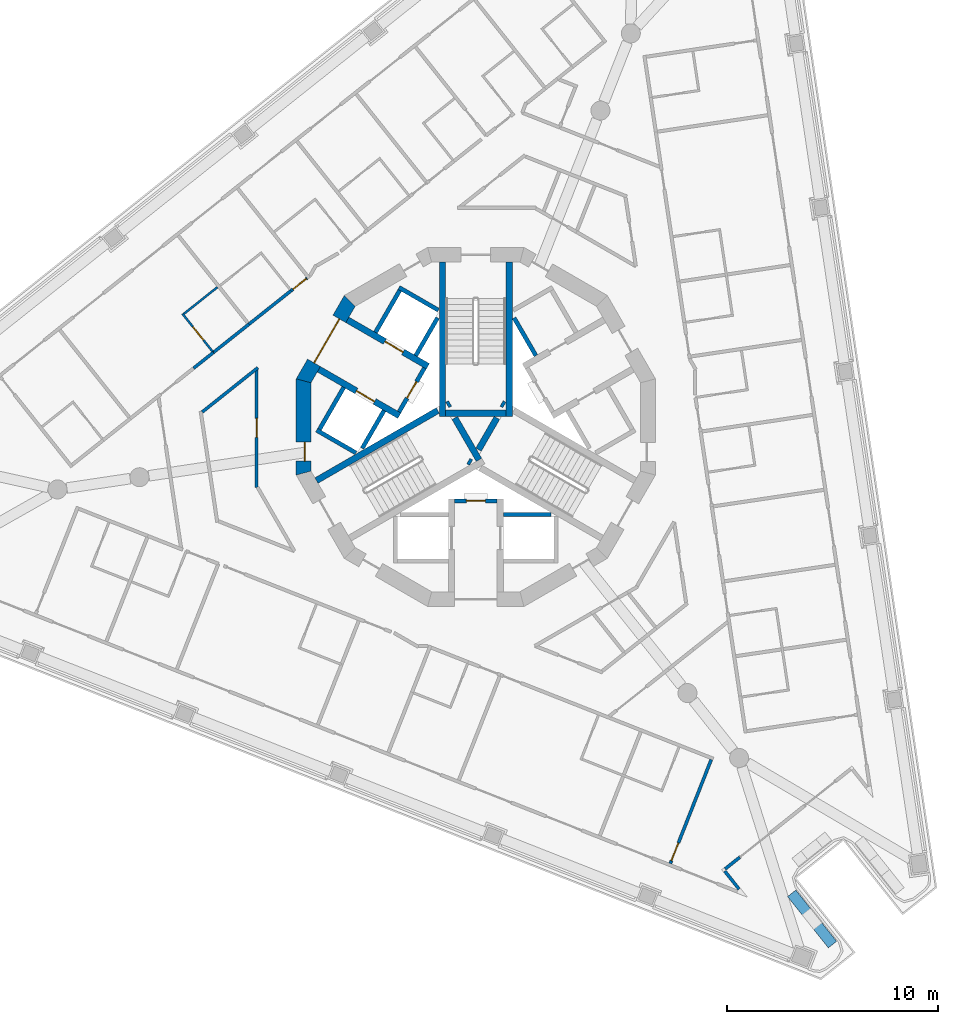
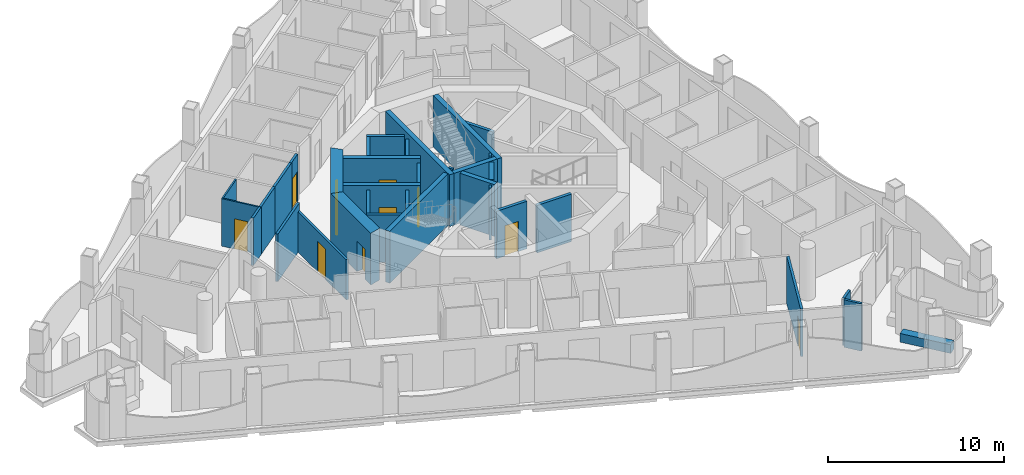
# One storey, part 4 of 17: 35 walls, 10 doors, 10 openings.
"""IFC4 building model written with IfcOpenShell, lengths in metres."""

from ifc_helpers import new_model, si_unit, direction, frame, frame_2d, origin, place, context, subcontext, project, spatial, polyline, rectangle, outline, extrude, material, layer, layer_set, type_object, element, fill, save


model = new_model("IFC4")

# Units and contexts
model_context = context("Model", 3, precision=1e-05, world=origin(), true_north=direction((0.0, 1.0)))
body_context = subcontext(model_context, "Body", "Model", "MODEL_VIEW")
ifc_project = project(units=[si_unit("LENGTHUNIT", "METRE"), si_unit("AREAUNIT", "SQUARE_METRE"), si_unit("VOLUMEUNIT", "CUBIC_METRE"), si_unit("PLANEANGLEUNIT", "RADIAN"), si_unit("MASSUNIT", "GRAM", prefix="KILO")], contexts=[model_context])

# Site, building, storey
site_placement = place(None, origin())
site = spatial("IfcSite", under=ifc_project, at=site_placement, CompositionType="ELEMENT")
building_placement = place(site_placement, origin())
building = spatial("IfcBuilding", under=site, at=building_placement, Name="Trine Commons Tower", CompositionType="ELEMENT")
storey_placement = place(building_placement, frame((0.0, 0.0, 208.800048828125)))
storey = spatial("IfcBuildingStorey", under=building, at=storey_placement, Name="L54", CompositionType="ELEMENT", Elevation=208.800048828125)

# Walls
ifc_material_1 = material(Name="Aluminium-framed insulated wall panel", Category="aluminium")
ifc_layer_1 = layer(ifc_material_1, 0.14990234375)
ifc_layer_set_1 = layer_set([ifc_layer_1], Name="Aluminium-framed insulated wall panel")
wall_type_1 = type_object("IfcWallType", Name="Glazed frame wall 150, EI 60", PredefinedType="SOLIDWALL", material=ifc_layer_set_1)
wall_1_placement = place(storey_placement, frame((92.493896484375, 42.134521484375, 0.0), z_axis=(0.0, 0.0, 1.0), x_axis=(-0.782628082779, -0.622489585492, 0.0)))
element("IfcWall", 1, at=wall_1_placement, inside=storey, type_object=wall_type_1, Name="Glazed frame wall P2.5", PredefinedType="SOLIDWALL", context=body_context, shape_type="SweptSolid", body=[
    extrude(outline(polyline([(0.889892578125, 0.074951171875), (0.0, 0.074951171875), (0.0, -0.074951171875), (0.889892578125, -0.074951171875), (0.889892578125, 0.074951171875)])), origin(), (0.0, 0.0, 1.0), 3.300048828125),
])
wall_2_placement = place(storey_placement, frame((91.716796875, 41.56103515625, 0.0), z_axis=(0.0, 0.0, 1.0), x_axis=(0.622611995912, -0.7825307039, 0.0)))
element("IfcWall", 2, at=wall_2_placement, inside=storey, type_object=wall_type_1, Name="Glazed frame wall R8", PredefinedType="SOLIDWALL", context=body_context, shape_type="SweptSolid", body=[
    extrude(outline(polyline([(0.110107421875, 0.074951171875), (0.110107421875, -0.074951171875), (1.19580078125, -0.074951171875), (1.19580078125, 0.074951171875), (0.110107421875, 0.074951171875)])), origin(), (0.0, 0.0, 1.0), 3.300048828125),
])

# Wall, opening, door
ifc_material_2 = material(Name="Fire-rated gypsum shaft wall system")
ifc_layer_2 = layer(ifc_material_2, 0.199951171875)
ifc_layer_set_2 = layer_set([ifc_layer_2], Name="Fire-rated gypsum shaft wall system")
wall_type_2 = type_object("IfcWallType", Name="Lobby end wall 200 mm, EI 120", PredefinedType="PARTITIONING", material=ifc_layer_set_2)
wall_3_placement = place(storey_placement, frame((77.569091796875, 65.2890625, 0.0), z_axis=(0.0, 0.0, 1.0), x_axis=(-0.50012165622, -0.865955154139, 0.0)))
wall_3 = element("IfcWall", 3, at=wall_3_placement, inside=storey, type_object=wall_type_2, Name="Lobby end wall L54", PredefinedType="PARTITIONING", context=body_context, shape_type="SweptSolid", body=[
    extrude(rectangle(XDim=2.39990234375, YDim=0.199951171875, at=frame_2d((1.199951171875, 0.0))), origin(), (0.0, 0.0, 1.0), 3.300048828125),
])
opening_1_placement = place(wall_3_placement, frame((0.749755859375, 0.0, 0.0)))
opening_1 = element("IfcOpeningElement", 4, at=opening_1_placement, cuts=wall_3, Name="Opening K16.07", PredefinedType="OPENING", context=body_context, shape_type="SweptSolid", body=[
    extrude(rectangle(XDim=0.89990234375, YDim=2.10009765625, at=frame_2d((0.449951171875, 1.050048828125))), frame((0.0, 0.10986328125, 0.0), z_axis=(0.0, -1.0, 0.0), x_axis=(1.0, 0.0, 0.0)), (0.0, 0.0, 1.0), 0.219970703125),
])
ifc_material_3 = material(Name="Steel door leaf, fire-rated", Category="steel")
door_type_1 = type_object("IfcDoorType", Name="Riser access door, single leaf 900 x 2100, FD60", OperationType="SINGLE_SWING_LEFT", PredefinedType="DOOR", material=ifc_material_3)
door_1_placement = place(opening_1_placement, frame((0.89990234375, 0.0, 0.0), z_axis=(0.0, 0.0, 1.0), x_axis=(-1.0, 0.0, 0.0)))
door_1 = element("IfcDoor", 5, at=door_1_placement, inside=storey, type_object=door_type_1, Name="Riser door, Mechanical riser L54", OperationType="SINGLE_SWING_RIGHT", OverallHeight=2.10009765625, OverallWidth=0.89990234375, PredefinedType="DOOR", context=body_context, shape_type="SweptSolid", body=[
    extrude(rectangle(XDim=0.89990234375, YDim=2.10009765625, at=frame_2d((0.449951171875, 1.050048828125))), frame((0.0, 0.02490234375, 0.0), z_axis=(0.0, -1.0, 0.0), x_axis=(1.0, 0.0, 0.0)), (0.0, 0.0, 1.0), 0.050048828125),
])
fill(opening_1, door_1)

wall_4_placement = place(storey_placement, frame((79.0, 59.0, 0.0), z_axis=(0.0, 0.0, 1.0), x_axis=(1.0, 0.0, 0.0)))
wall_4 = element("IfcWall", 6, at=wall_4_placement, inside=storey, type_object=wall_type_2, Name="Lobby end wall L54", PredefinedType="PARTITIONING", context=body_context, shape_type="SweptSolid", body=[
    extrude(rectangle(XDim=2.0, YDim=0.199951171875, at=frame_2d((1.0, 0.0))), origin(), (0.0, 0.0, 1.0), 3.300048828125),
])
opening_2_placement = place(wall_4_placement, frame((0.550048828125, 0.0, 0.0)))
opening_2 = element("IfcOpeningElement", 7, at=opening_2_placement, cuts=wall_4, Name="Opening K16.09", PredefinedType="OPENING", context=body_context, shape_type="SweptSolid", body=[
    extrude(rectangle(XDim=0.89990234375, YDim=2.10009765625, at=frame_2d((0.449951171875, 1.050048828125))), frame((0.0, 0.10986328125, 0.0), z_axis=(0.0, -1.0, 0.0), x_axis=(1.0, 0.0, 0.0)), (0.0, 0.0, 1.0), 0.219970703125),
])
door_2_placement = place(opening_2_placement, frame((0.89990234375, 0.0, 0.0), z_axis=(0.0, 0.0, 1.0), x_axis=(-1.0, 0.0, 0.0)))
door_2 = element("IfcDoor", 8, at=door_2_placement, inside=storey, type_object=door_type_1, Name="Riser door, Communications riser L54", OperationType="SINGLE_SWING_RIGHT", OverallHeight=2.10009765625, OverallWidth=0.89990234375, PredefinedType="DOOR", context=body_context, shape_type="SweptSolid", body=[
    extrude(rectangle(XDim=0.89990234375, YDim=2.10009765625, at=frame_2d((0.449951171875, 1.050048828125))), frame((0.0, 0.02490234375, 0.0), z_axis=(0.0, -1.0, 0.0), x_axis=(1.0, 0.0, 0.0)), (0.0, 0.0, 1.0), 0.050048828125),
])
fill(opening_2, door_2)

# Wall
ifc_material_4 = material(Name="Planter trough, precast concrete C40/50", Category="concrete")
ifc_layer_3 = layer(ifc_material_4, 0.5)
ifc_layer_set_3 = layer_set([ifc_layer_3], Name="Planter trough, precast concrete C40/50")
wall_type_3 = type_object("IfcWallType", Name="Planter trough 500x600", PredefinedType="PARAPET", material=ifc_layer_set_3)
wall_5_placement = place(storey_placement, frame((94.950439453125, 40.427490234375, 0.0), z_axis=(0.0, 0.0, 1.0), x_axis=(0.622550971161, -0.782579253691, 0.0)))
element("IfcWall", 9, at=wall_5_placement, inside=storey, type_object=wall_type_3, Name="Planter 9", PredefinedType="PARAPET", context=body_context, shape_type="SweptSolid", body=[
    extrude(rectangle(XDim=3.10009765625, YDim=0.5, at=frame_2d((1.550048828125, 0.0))), origin(), (0.0, 0.0, 1.0), 0.599853515625),
])

# Wall, opening, door
ifc_material_5 = material(Name="Concrete C60/75", Category="concrete")
ifc_layer_4 = layer(ifc_material_5, 0.300048828125)
ifc_layer_set_4 = layer_set([ifc_layer_4], Name="Concrete C60/75")
wall_type_4 = type_object("IfcWallType", Name="RC shear wall 300 mm, C60/75", PredefinedType="SHEAR", material=ifc_layer_set_4)
wall_6_placement = place(storey_placement, frame((76.381103515625, 63.031005859375, 0.0), z_axis=(0.0, 0.0, 1.0), x_axis=(-0.866059941101, 0.499940174841, 0.0)))
wall_6 = element("IfcWall", 10, at=wall_6_placement, inside=storey, type_object=wall_type_4, Name="Core cross wall SWC-01 L54", PredefinedType="SHEAR", context=body_context, shape_type="SweptSolid", body=[
    extrude(rectangle(XDim=4.400390625, YDim=0.300048828125, at=frame_2d((2.2001953125, 0.0))), origin(), (0.0, 0.0, 1.0), 3.599853515625),
])
opening_3_placement = place(wall_6_placement, frame((1.350341796875, 0.0, 0.0)))
opening_3 = element("IfcOpeningElement", 11, at=opening_3_placement, cuts=wall_6, Name="Opening LD7", PredefinedType="OPENING", context=body_context, shape_type="SweptSolid", body=[
    extrude(rectangle(XDim=1.0, YDim=2.10009765625, at=frame_2d((0.5, 1.050048828125))), frame((0.0, 0.159912109375, 0.0), z_axis=(0.0, -1.0, 0.0), x_axis=(1.0, 0.0, 0.0)), (0.0, 0.0, 1.0), 0.320068359375),
])
ifc_material_6 = material(Name="Stainless steel sliding door leaves", Category="steel")
door_type_2 = type_object("IfcDoorType", Name="Lift landing door, centre-opening sliding 1000 x 2100, FD90", OperationType="DOUBLE_DOOR_SLIDING", PredefinedType="DOOR", material=ifc_material_6)
door_3_placement = place(opening_3_placement, origin())
door_3 = element("IfcDoor", 12, at=door_3_placement, inside=storey, type_object=door_type_2, Name="Lift landing door HR3 L54", OperationType="DOUBLE_DOOR_SLIDING", OverallHeight=2.10009765625, OverallWidth=1.0, PredefinedType="DOOR", context=body_context, shape_type="SweptSolid", body=[
    extrude(rectangle(XDim=1.0, YDim=2.10009765625, at=frame_2d((0.5, 1.050048828125))), frame((0.0, 0.02490234375, 0.0), z_axis=(0.0, -1.0, 0.0), x_axis=(1.0, 0.0, 0.0)), (0.0, 0.0, 1.0), 0.050048828125),
])
fill(opening_3, door_3)

wall_7_placement = place(storey_placement, frame((77.73095703125, 65.368896484375, 0.0), z_axis=(0.0, 0.0, 1.0), x_axis=(-0.866035918664, 0.499981787252, 0.0)))
wall_7 = element("IfcWall", 13, at=wall_7_placement, inside=storey, type_object=wall_type_4, Name="Core cross wall SWC-02 L54", PredefinedType="SHEAR", context=body_context, shape_type="SweptSolid", body=[
    extrude(rectangle(XDim=4.400634765625, YDim=0.300048828125, at=frame_2d((2.2001953125, 0.0))), origin(), (0.0, 0.0, 1.0), 3.599853515625),
])
opening_4_placement = place(wall_7_placement, frame((1.3505859375, 0.0, 0.0)))
opening_4 = element("IfcOpeningElement", 14, at=opening_4_placement, cuts=wall_7, Name="Opening LD8", PredefinedType="OPENING", context=body_context, shape_type="SweptSolid", body=[
    extrude(rectangle(XDim=1.0, YDim=2.10009765625, at=frame_2d((0.5, 1.050048828125))), frame((0.0, 0.159912109375, 0.0), z_axis=(0.0, -1.0, 0.0), x_axis=(1.0, 0.0, 0.0)), (0.0, 0.0, 1.0), 0.320068359375),
])
door_4_placement = place(opening_4_placement, origin())
door_4 = element("IfcDoor", 15, at=door_4_placement, inside=storey, type_object=door_type_2, Name="Lift landing door HR4 L54", OperationType="DOUBLE_DOOR_SLIDING", OverallHeight=2.10009765625, OverallWidth=1.0, PredefinedType="DOOR", context=body_context, shape_type="SweptSolid", body=[
    extrude(rectangle(XDim=1.0, YDim=2.10009765625, at=frame_2d((0.5, 1.050048828125))), frame((0.0, 0.02490234375, 0.0), z_axis=(0.0, -1.0, 0.0), x_axis=(1.0, 0.0, 0.0)), (0.0, 0.0, 1.0), 0.050048828125),
])
fill(opening_4, door_4)

# Walls
wall_8_placement = place(storey_placement, frame((78.199951171875, 63.280029296875, 0.0), z_axis=(0.0, 0.0, 1.0), x_axis=(-0.866009627307, -0.500027324665, 0.0)))
element("IfcWall", 16, at=wall_8_placement, inside=storey, type_object=wall_type_4, Name="Core cross wall SWC-07 L54", PredefinedType="SHEAR", context=body_context, shape_type="SweptSolid", body=[
    extrude(rectangle(XDim=6.631591796875, YDim=0.300048828125, at=frame_2d((3.31591796875, 0.0))), origin(), (0.0, 0.0, 1.0), 3.599853515625),
])
wall_9_placement = place(storey_placement, frame((78.425048828125, 63.0009765625, 0.0), z_axis=(0.0, 0.0, 1.0), x_axis=(0.0, 1.0, 0.0)))
element("IfcWall", 17, at=wall_9_placement, inside=storey, type_object=wall_type_4, Name="Core cross wall SWC-08 L54", PredefinedType="SHEAR", context=body_context, shape_type="SweptSolid", body=[
    extrude(rectangle(XDim=7.299072265625, YDim=0.300048828125, at=frame_2d((3.6494140625, 0.0))), origin(), (0.0, 0.0, 1.0), 3.599853515625),
])
wall_10_placement = place(storey_placement, frame((78.779052734375, 63.614013671875, 0.0), z_axis=(0.0, 0.0, 1.0), x_axis=(-0.867737973955, -0.497021939713, 0.0)))
element("IfcWall", 18, at=wall_10_placement, inside=storey, type_object=wall_type_4, Name="Core cross wall SWC-09 L54", PredefinedType="SHEAR", context=body_context, shape_type="SweptSolid", body=[
    extrude(rectangle(XDim=0.14892578125, YDim=0.300048828125, at=frame_2d((0.074462890625, 0.0))), origin(), (0.0, 0.0, 1.0), 3.599853515625),
])
wall_11_placement = place(storey_placement, frame((79.0029296875, 62.926025390625, 0.0), z_axis=(0.0, 0.0, 1.0), x_axis=(0.499965247104, -0.866045467449, 0.0)))
element("IfcWall", 19, at=wall_11_placement, inside=storey, type_object=wall_type_4, Name="Core cross wall SWC-10 L54", PredefinedType="SHEAR", context=body_context, shape_type="SweptSolid", body=[
    extrude(rectangle(XDim=2.292236328125, YDim=0.300048828125, at=frame_2d((1.14599609375, 0.0))), origin(), (0.0, 0.0, 1.0), 3.599853515625),
])
wall_12_placement = place(storey_placement, frame((79.64599609375, 60.885986328125, 0.0), z_axis=(0.0, 0.0, 1.0), x_axis=(0.867331893649, -0.497730234424, 0.0)))
element("IfcWall", 20, at=wall_12_placement, inside=storey, type_object=wall_type_4, Name="Core cross wall SWC-11 L54", PredefinedType="SHEAR", context=body_context, shape_type="SweptSolid", body=[
    extrude(rectangle(XDim=0.148681640625, YDim=0.300048828125, at=frame_2d((0.07421875, 0.0))), origin(), (0.0, 0.0, 1.0), 3.599853515625),
])
wall_13_placement = place(storey_placement, frame((80.1298828125, 61.424072265625, 0.0), z_axis=(0.0, 0.0, 1.0), x_axis=(0.500014901547, 0.866016800201, 0.0)))
element("IfcWall", 21, at=wall_13_placement, inside=storey, type_object=wall_type_4, Name="Core cross wall SWC-12 L54", PredefinedType="SHEAR", context=body_context, shape_type="SweptSolid", body=[
    extrude(rectangle(XDim=1.734375, YDim=0.300048828125, at=frame_2d((0.8671875, 0.0))), origin(), (0.0, 0.0, 1.0), 3.599853515625),
])
wall_14_placement = place(storey_placement, frame((81.220947265625, 63.614013671875, 0.0), z_axis=(0.0, 0.0, 1.0), x_axis=(0.867737973955, -0.497021939713, 0.0)))
element("IfcWall", 22, at=wall_14_placement, inside=storey, type_object=wall_type_4, Name="Core cross wall SWC-15 L54", PredefinedType="SHEAR", context=body_context, shape_type="SweptSolid", body=[
    extrude(rectangle(XDim=0.14892578125, YDim=0.300048828125, at=frame_2d((0.074462890625, 0.0))), origin(), (0.0, 0.0, 1.0), 3.599853515625),
])
wall_15_placement = place(storey_placement, frame((81.425048828125, 63.15087890625, 0.0), z_axis=(0.0, 0.0, 1.0), x_axis=(-1.0, 0.0, 0.0)))
element("IfcWall", 23, at=wall_15_placement, inside=storey, type_object=wall_type_4, Name="Core cross wall SWC-16 L54", PredefinedType="SHEAR", context=body_context, shape_type="SweptSolid", body=[
    extrude(rectangle(XDim=2.85009765625, YDim=0.300048828125, at=frame_2d((1.425048828125, 0.0))), origin(), (0.0, 0.0, 1.0), 3.599853515625),
])
wall_16_placement = place(storey_placement, frame((81.574951171875, 63.0009765625, 0.0), z_axis=(0.0, 0.0, 1.0), x_axis=(0.0, 1.0, 0.0)))
element("IfcWall", 24, at=wall_16_placement, inside=storey, type_object=wall_type_4, Name="Core cross wall SWC-17 L54", PredefinedType="SHEAR", context=body_context, shape_type="SweptSolid", body=[
    extrude(rectangle(XDim=7.299072265625, YDim=0.300048828125, at=frame_2d((3.6494140625, 0.0))), origin(), (0.0, 0.0, 1.0), 3.599853515625),
])

# Wall, opening, door
ifc_layer_5 = layer(ifc_material_5, 0.699951171875)
ifc_layer_set_5 = layer_set([ifc_layer_5], Name="Concrete C60/75")
wall_type_5 = type_object("IfcWallType", Name="RC shear wall 700 mm, C60/75", PredefinedType="SHEAR", material=ifc_layer_set_5)
wall_17_placement = place(storey_placement, frame((74.08056640625, 68.547607421875, 0.0), z_axis=(0.0, 0.0, 1.0), x_axis=(-0.499983800959, -0.866034756103, 0.0)))
wall_17 = element("IfcWall", 25, at=wall_17_placement, inside=storey, type_object=wall_type_5, Name="Core wall CWF-06 L54", PredefinedType="SHEAR", context=body_context, shape_type="SweptSolid", body=[
    extrude(outline(polyline([(0.0, -0.35009765625), (4.55517578125, -0.35009765625), (4.36767578125, 0.35009765625), (0.1875, 0.35009765625), (0.0, -0.35009765625)])), origin(), (0.0, 0.0, 1.0), 3.599853515625),
])
opening_5_placement = place(wall_17_placement, frame((1.077392578125, 0.0, 0.0)))
opening_5 = element("IfcOpeningElement", 26, at=opening_5_placement, cuts=wall_17, Name="Opening K16.06", PredefinedType="OPENING", context=body_context, shape_type="SweptSolid", body=[
    extrude(rectangle(XDim=2.39990234375, YDim=2.10009765625, at=frame_2d((1.199951171875, 1.050048828125))), frame((0.0, 0.35986328125, 0.0), z_axis=(0.0, -1.0, 0.0), x_axis=(1.0, 0.0, 0.0)), (0.0, 0.0, 1.0), 0.719970703125),
])
ifc_material_7 = material(Name="Steel door leaves, fire-rated", Category="steel")
door_type_3 = type_object("IfcDoorType", Name="Lobby door, double leaf 2400 x 2100, FD60", OperationType="DOUBLE_DOOR_SINGLE_SWING", PredefinedType="DOOR", material=ifc_material_7)
door_5_placement = place(opening_5_placement, origin())
door_5 = element("IfcDoor", 27, at=door_5_placement, inside=storey, type_object=door_type_3, Name="Lobby door, Passenger lift lobby B L54", OperationType="DOUBLE_DOOR_SINGLE_SWING", OverallHeight=2.10009765625, OverallWidth=2.39990234375, PredefinedType="DOOR", context=body_context, shape_type="SweptSolid", body=[
    extrude(rectangle(XDim=2.39990234375, YDim=2.10009765625, at=frame_2d((1.199951171875, 1.050048828125))), frame((0.0, 0.02490234375, 0.0), z_axis=(0.0, -1.0, 0.0), x_axis=(1.0, 0.0, 0.0)), (0.0, 0.0, 1.0), 0.050048828125),
])
fill(opening_5, door_5)

wall_18_placement = place(storey_placement, frame((71.849853515625, 64.777587890625, 0.0), z_axis=(0.0, 0.0, 1.0), x_axis=(0.0, -1.0, 0.0)))
wall_18 = element("IfcWall", 28, at=wall_18_placement, inside=storey, type_object=wall_type_5, Name="Core wall CWF-07 L54", PredefinedType="SHEAR", context=body_context, shape_type="SweptSolid", body=[
    extrude(outline(polyline([(0.0, -0.35009765625), (4.55517578125, -0.35009765625), (4.36767578125, 0.35009765625), (0.1875, 0.35009765625), (0.0, -0.35009765625)])), origin(), (0.0, 0.0, 1.0), 3.599853515625),
])
opening_6_placement = place(wall_18_placement, frame((2.99169921875, 0.0, 0.0)))
opening_6 = element("IfcOpeningElement", 29, at=opening_6_placement, cuts=wall_18, Name="Opening K16.14", PredefinedType="OPENING", context=body_context, shape_type="SweptSolid", body=[
    extrude(rectangle(XDim=0.89990234375, YDim=2.10009765625, at=frame_2d((0.449951171875, 1.050048828125))), frame((0.0, 0.35986328125, 0.0), z_axis=(0.0, -1.0, 0.0), x_axis=(1.0, 0.0, 0.0)), (0.0, 0.0, 1.0), 0.719970703125),
])
door_type_4 = type_object("IfcDoorType", Name="Core room door, single leaf 900 x 2100, FD30S", OperationType="SINGLE_SWING_LEFT", PredefinedType="DOOR", material=ifc_material_3)
door_6_placement = place(opening_6_placement, origin())
door_6 = element("IfcDoor", 30, at=door_6_placement, inside=storey, type_object=door_type_4, Name="Door to Pantry L54", OperationType="SINGLE_SWING_RIGHT", OverallHeight=2.10009765625, OverallWidth=0.89990234375, PredefinedType="DOOR", context=body_context, shape_type="SweptSolid", body=[
    extrude(rectangle(XDim=0.89990234375, YDim=2.10009765625, at=frame_2d((0.449951171875, 1.050048828125))), frame((0.0, 0.0751953125, 0.0), z_axis=(0.0, -1.0, 0.0), x_axis=(1.0, 0.0, 0.0)), (0.0, 0.0, 1.0), 0.050048828125),
])
fill(opening_6, door_6)

# Walls
ifc_layer_6 = layer(ifc_material_2, 0.199951171875)
ifc_layer_set_6 = layer_set([ifc_layer_6], Name="Fire-rated gypsum shaft wall system")
wall_type_6 = type_object("IfcWallType", Name="Shaft wall 200 mm, EI 120", PredefinedType="PARTITIONING", material=ifc_layer_set_6)
wall_19_placement = place(storey_placement, frame((73.7509765625, 64.3759765625, 0.0), z_axis=(0.0, 0.0, 1.0), x_axis=(-0.500136062276, -0.86594683394, 0.0)))
element("IfcWall", 31, at=wall_19_placement, inside=storey, type_object=wall_type_6, Name="Shaft wall L54", PredefinedType="PARTITIONING", context=body_context, shape_type="SweptSolid", body=[
    extrude(rectangle(XDim=2.299072265625, YDim=0.199951171875, at=frame_2d((1.1494140625, 0.0))), origin(), (0.0, 0.0, 1.0), 3.300048828125),
])
wall_20_placement = place(storey_placement, frame((74.324951171875, 61.27392578125, 0.0), z_axis=(0.0, 0.0, 1.0), x_axis=(-0.866102336459, 0.499866725018, 0.0)))
element("IfcWall", 32, at=wall_20_placement, inside=storey, type_object=wall_type_6, Name="Shaft wall L54", PredefinedType="PARTITIONING", context=body_context, shape_type="SweptSolid", body=[
    extrude(rectangle(XDim=2.1484375, YDim=0.199951171875, at=frame_2d((1.07421875, 0.0))), origin(), (0.0, 0.0, 1.0), 3.300048828125),
])
wall_21_placement = place(storey_placement, frame((75.2509765625, 66.97412109375, 0.0), z_axis=(0.0, 0.0, 1.0), x_axis=(0.500136062276, 0.86594683394, 0.0)))
element("IfcWall", 33, at=wall_21_placement, inside=storey, type_object=wall_type_6, Name="Shaft wall L54", PredefinedType="PARTITIONING", context=body_context, shape_type="SweptSolid", body=[
    extrude(rectangle(XDim=2.299072265625, YDim=0.199951171875, at=frame_2d((1.1494140625, 0.0))), origin(), (0.0, 0.0, 1.0), 3.300048828125),
])
wall_22_placement = place(storey_placement, frame((75.656005859375, 63.27587890625, 0.0), z_axis=(0.0, 0.0, 1.0), x_axis=(-0.500271688072, -0.86586848777, 0.0)))
element("IfcWall", 34, at=wall_22_placement, inside=storey, type_object=wall_type_6, Name="Shaft wall L54", PredefinedType="PARTITIONING", context=body_context, shape_type="SweptSolid", body=[
    extrude(rectangle(XDim=2.064697265625, YDim=0.199951171875, at=frame_2d((1.0322265625, 0.0))), origin(), (0.0, 0.0, 1.0), 3.300048828125),
])
wall_23_placement = place(storey_placement, frame((77.156005859375, 65.8740234375, 0.0), z_axis=(0.0, 0.0, 1.0), x_axis=(0.499865770674, 0.866102887253, 0.0)))
element("IfcWall", 35, at=wall_23_placement, inside=storey, type_object=wall_type_6, Name="Shaft wall L54", PredefinedType="PARTITIONING", context=body_context, shape_type="SweptSolid", body=[
    extrude(rectangle(XDim=2.064453125, YDim=0.199951171875, at=frame_2d((1.0322265625, 0.0))), origin(), (0.0, 0.0, 1.0), 3.300048828125),
])
wall_24_placement = place(storey_placement, frame((78.22509765625, 68.028076171875, 0.0), z_axis=(0.0, 0.0, 1.0), x_axis=(-0.866130725101, 0.499817533742, 0.0)))
element("IfcWall", 36, at=wall_24_placement, inside=storey, type_object=wall_type_6, Name="Shaft wall L54", PredefinedType="PARTITIONING", context=body_context, shape_type="SweptSolid", body=[
    extrude(rectangle(XDim=2.148681640625, YDim=0.199951171875, at=frame_2d((1.07421875, 0.0))), origin(), (0.0, 0.0, 1.0), 3.300048828125),
])
wall_25_placement = place(storey_placement, frame((81.300048828125, 58.35009765625, 0.0), z_axis=(0.0, 0.0, 1.0), x_axis=(1.0, 0.0, 0.0)))
element("IfcWall", 37, at=wall_25_placement, inside=storey, type_object=wall_type_6, Name="Shaft wall L54", PredefinedType="PARTITIONING", context=body_context, shape_type="SweptSolid", body=[
    extrude(rectangle(XDim=2.264892578125, YDim=0.199951171875, at=frame_2d((1.13232421875, 0.0))), origin(), (0.0, 0.0, 1.0), 3.300048828125),
])
wall_26_placement = place(storey_placement, frame((82.843994140625, 65.8740234375, 0.0), z_axis=(0.0, 0.0, 1.0), x_axis=(-0.499865770674, 0.866102887253, 0.0)))
element("IfcWall", 38, at=wall_26_placement, inside=storey, type_object=wall_type_6, Name="Shaft wall L54", PredefinedType="PARTITIONING", context=body_context, shape_type="SweptSolid", body=[
    extrude(rectangle(XDim=2.064453125, YDim=0.199951171875, at=frame_2d((1.0322265625, 0.0))), origin(), (0.0, 0.0, 1.0), 3.300048828125),
])
ifc_material_8 = material(Name="Gypsum plasterboard on steel stud", Category="steel")
ifc_layer_7 = layer(ifc_material_8, 0.14990234375)
ifc_layer_set_7 = layer_set([ifc_layer_7], Name="Gypsum plasterboard on steel stud")
wall_type_7 = type_object("IfcWallType", Name="Unit and corridor wall 150 mm, EI 60", PredefinedType="PARTITIONING", material=ifc_layer_set_7)
wall_27_placement = place(storey_placement, frame((66.64306640625, 65.280029296875, 0.0), z_axis=(0.0, 0.0, 1.0), x_axis=(0.782795232177, 0.622279378158, 0.0)))
element("IfcWall", 39, at=wall_27_placement, inside=storey, type_object=wall_type_7, Name="Partition 023", PredefinedType="PARTITIONING", context=body_context, shape_type="SweptSolid", body=[
    extrude(rectangle(XDim=1.197021484375, YDim=0.14990234375, at=frame_2d((0.5986328125, 0.0))), origin(), (0.0, 0.0, 1.0), 3.300048828125),
])
wall_28_placement = place(storey_placement, frame((67.0498046875, 63.206787109375, 0.0), z_axis=(0.0, 0.0, 1.0), x_axis=(0.782472540885, 0.622685091166, 0.0)))
element("IfcWall", 40, at=wall_28_placement, inside=storey, type_object=wall_type_7, Name="Partition 025", PredefinedType="PARTITIONING", context=body_context, shape_type="SweptSolid", body=[
    extrude(rectangle(XDim=3.365966796875, YDim=0.14990234375, at=frame_2d((1.68310546875, 0.0))), origin(), (0.0, 0.0, 1.0), 3.300048828125),
])
wall_29_placement = place(storey_placement, frame((67.573974609375, 66.02099609375, 0.0), z_axis=(0.0, 0.0, 1.0), x_axis=(0.782929257376, 0.622110744116, 0.0)))
element("IfcWall", 41, at=wall_29_placement, inside=storey, type_object=wall_type_7, Name="Partition 026", PredefinedType="PARTITIONING", context=body_context, shape_type="SweptSolid", body=[
    extrude(rectangle(XDim=2.1572265625, YDim=0.14990234375, at=frame_2d((1.07861328125, 0.0))), origin(), (0.0, 0.0, 1.0), 3.300048828125),
])
wall_30_placement = place(storey_placement, frame((69.257080078125, 67.35888671875, 0.0), z_axis=(0.0, 0.0, 1.0), x_axis=(0.783010279593, 0.622008763646, 0.0)))
element("IfcWall", 42, at=wall_30_placement, inside=storey, type_object=wall_type_7, Name="Partition 031", PredefinedType="PARTITIONING", context=body_context, shape_type="SweptSolid", body=[
    extrude(rectangle(XDim=2.608154296875, YDim=0.14990234375, at=frame_2d((1.30419921875, 0.0))), origin(), (0.0, 0.0, 1.0), 3.300048828125),
])

# Wall, opening, door
wall_31_placement = place(storey_placement, frame((69.625, 59.64501953125, 0.0), z_axis=(0.0, 0.0, 1.0), x_axis=(0.0, 1.0, 0.0)))
wall_31 = element("IfcWall", 43, at=wall_31_placement, inside=storey, type_object=wall_type_7, Name="Partition 032", PredefinedType="PARTITIONING", context=body_context, shape_type="SweptSolid", body=[
    extrude(rectangle(XDim=5.5400390625, YDim=0.14990234375, at=frame_2d((2.77001953125, 0.0))), origin(), (0.0, 0.0, 1.0), 2.800048828125),
])
opening_7_placement = place(wall_31_placement, frame((2.357421875, 0.0, 0.0)))
opening_7 = element("IfcOpeningElement", 44, at=opening_7_placement, cuts=wall_31, Name="Opening D-6B28", PredefinedType="OPENING", context=body_context, shape_type="SweptSolid", body=[
    extrude(rectangle(XDim=0.89990234375, YDim=2.10009765625, at=frame_2d((0.449951171875, 1.050048828125))), frame((0.0, 0.0849609375, 0.0), z_axis=(0.0, -1.0, 0.0), x_axis=(1.0, 0.0, 0.0)), (0.0, 0.0, 1.0), 0.169921875),
])
ifc_material_9 = material(Name="Timber fire door set", Category="wood")
door_type_5 = type_object("IfcDoorType", Name="Service door 900 x 2100, FD30S", OperationType="NOTDEFINED", PredefinedType="DOOR", material=ifc_material_9)
door_7_placement = place(opening_7_placement, origin())
door_7 = element("IfcDoor", 45, at=door_7_placement, inside=storey, type_object=door_type_5, Name="Door D-6B28", OperationType="SINGLE_SWING_RIGHT", OverallHeight=2.10009765625, OverallWidth=0.89990234375, PredefinedType="DOOR", context=body_context, shape_type="SweptSolid", body=[
    extrude(rectangle(XDim=0.89990234375, YDim=2.10009765625, at=frame_2d((0.449951171875, 1.050048828125))), frame((0.0, 0.02490234375, 0.0), z_axis=(0.0, -1.0, 0.0), x_axis=(1.0, 0.0, 0.0)), (0.0, 0.0, 1.0), 0.050048828125),
])
fill(opening_7, door_7)

wall_32_placement = place(storey_placement, frame((71.25390625, 68.946044921875, 0.0), z_axis=(0.0, 0.0, 1.0), x_axis=(0.783154240539, 0.621827496598, 0.0)))
wall_32 = element("IfcWall", 46, at=wall_32_placement, inside=storey, type_object=wall_type_7, Name="Partition 036", PredefinedType="PARTITIONING", context=body_context, shape_type="SweptSolid", body=[
    extrude(rectangle(XDim=0.967041015625, YDim=0.14990234375, at=frame_2d((0.4833984375, 0.0))), origin(), (0.0, 0.0, 1.0), 3.300048828125),
])
opening_8_placement = place(wall_32_placement, frame((0.116943359375, 0.0, 0.0)))
opening_8 = element("IfcOpeningElement", 47, at=opening_8_placement, cuts=wall_32, Name="Opening D-6B07", PredefinedType="OPENING", context=body_context, shape_type="SweptSolid", body=[
    extrude(rectangle(XDim=0.800048828125, YDim=2.10009765625, at=frame_2d((0.39990234375, 1.050048828125))), frame((0.0, 0.0849609375, 0.0), z_axis=(0.0, -1.0, 0.0), x_axis=(1.0, 0.0, 0.0)), (0.0, 0.0, 1.0), 0.169921875),
])
door_type_6 = type_object("IfcDoorType", Name="Bedroom door 800 x 2100, FD30S", OperationType="NOTDEFINED", PredefinedType="DOOR", material=ifc_material_9)
door_8_placement = place(opening_8_placement, origin())
door_8 = element("IfcDoor", 48, at=door_8_placement, inside=storey, type_object=door_type_6, Name="Door D-6B07", OperationType="SINGLE_SWING_RIGHT", OverallHeight=2.10009765625, OverallWidth=0.800048828125, PredefinedType="DOOR", context=body_context, shape_type="SweptSolid", body=[
    extrude(rectangle(XDim=0.800048828125, YDim=2.10009765625, at=frame_2d((0.39990234375, 1.050048828125))), frame((0.0, 0.02490234375, 0.0), z_axis=(0.0, -1.0, 0.0), x_axis=(1.0, 0.0, 0.0)), (0.0, 0.0, 1.0), 0.050048828125),
])
fill(opening_8, door_8)

wall_33_placement = place(storey_placement, frame((89.20458984375, 41.838134765625, 0.0), z_axis=(0.0, 0.0, 1.0), x_axis=(0.366526942071, 0.930407438027, 0.0)))
wall_33 = element("IfcWall", 49, at=wall_33_placement, inside=storey, type_object=wall_type_7, Name="Partition 113", PredefinedType="PARTITIONING", context=body_context, shape_type="SweptSolid", body=[
    extrude(rectangle(XDim=5.28466796875, YDim=0.14990234375, at=frame_2d((2.642333984375, 0.0))), origin(), (0.0, 0.0, 1.0), 3.300048828125),
])
opening_9_placement = place(wall_33_placement, frame((0.14990234375, 0.0, 0.0)))
opening_9 = element("IfcOpeningElement", 50, at=opening_9_placement, cuts=wall_33, Name="Opening D-6B21", PredefinedType="OPENING", context=body_context, shape_type="SweptSolid", body=[
    extrude(rectangle(XDim=0.89990234375, YDim=2.10009765625, at=frame_2d((0.449951171875, 1.050048828125))), frame((0.0, 0.0849609375, 0.0), z_axis=(0.0, -1.0, 0.0), x_axis=(1.0, 0.0, 0.0)), (0.0, 0.0, 1.0), 0.169921875),
])
door_type_7 = type_object("IfcDoorType", Name="Bedroom door 900 x 2100, FD30S", OperationType="NOTDEFINED", PredefinedType="DOOR", material=ifc_material_9)
door_9_placement = place(opening_9_placement, origin())
door_9 = element("IfcDoor", 51, at=door_9_placement, inside=storey, type_object=door_type_7, Name="Door D-6B21", OperationType="SINGLE_SWING_LEFT", OverallHeight=2.10009765625, OverallWidth=0.89990234375, PredefinedType="DOOR", context=body_context, shape_type="SweptSolid", body=[
    extrude(rectangle(XDim=0.89990234375, YDim=2.10009765625, at=frame_2d((0.449951171875, 1.050048828125))), frame((0.0, 0.02490234375, 0.0), z_axis=(0.0, -1.0, 0.0), x_axis=(1.0, 0.0, 0.0)), (0.0, 0.0, 1.0), 0.050048828125),
])
fill(opening_9, door_9)

ifc_layer_8 = layer(ifc_material_8, 0.10009765625)
ifc_layer_set_8 = layer_set([ifc_layer_8], Name="Gypsum plasterboard on steel stud")
wall_type_8 = type_object("IfcWallType", Name="Unit partition 100 mm, no rating", PredefinedType="PARTITIONING", material=ifc_layer_set_8)
wall_34_placement = place(storey_placement, frame((66.114013671875, 67.862060546875, 0.0), z_axis=(0.0, 0.0, 1.0), x_axis=(0.622513442911, -0.782609106384, 0.0)))
wall_34 = element("IfcWall", 52, at=wall_34_placement, inside=storey, type_object=wall_type_8, Name="Partition 020", PredefinedType="PARTITIONING", context=body_context, shape_type="SweptSolid", body=[
    extrude(rectangle(XDim=2.349853515625, YDim=0.10009765625, at=frame_2d((1.1748046875, 0.0))), origin(), (0.0, 0.0, 1.0), 3.300048828125),
])
opening_10_placement = place(wall_34_placement, frame((0.800048828125, 0.0, 0.0)))
opening_10 = element("IfcOpeningElement", 53, at=opening_10_placement, cuts=wall_34, Name="Opening D-6B36", PredefinedType="OPENING", context=body_context, shape_type="SweptSolid", body=[
    extrude(rectangle(XDim=0.800048828125, YDim=2.10009765625, at=frame_2d((0.39990234375, 1.050048828125))), frame((0.0, 0.06005859375, 0.0), z_axis=(0.0, -1.0, 0.0), x_axis=(1.0, 0.0, 0.0)), (0.0, 0.0, 1.0), 0.1201171875),
])
ifc_material_10 = material(Name="Painted timber", Category="wood")
door_type_8 = type_object("IfcDoorType", Name="Internal door 800 x 2100, NOT RATED", OperationType="NOTDEFINED", PredefinedType="DOOR", material=ifc_material_10)
door_10_placement = place(opening_10_placement, frame((0.800048828125, 0.0, 0.0), z_axis=(0.0, 0.0, 1.0), x_axis=(-1.0, 0.0, 0.0)))
door_10 = element("IfcDoor", 54, at=door_10_placement, inside=storey, type_object=door_type_8, Name="Door D-6B36", OperationType="SINGLE_SWING_LEFT", OverallHeight=2.10009765625, OverallWidth=0.800048828125, PredefinedType="DOOR", context=body_context, shape_type="SweptSolid", body=[
    extrude(rectangle(XDim=0.800048828125, YDim=2.10009765625, at=frame_2d((0.39990234375, 1.050048828125))), frame((0.0, 0.02490234375, 0.0), z_axis=(0.0, -1.0, 0.0), x_axis=(1.0, 0.0, 0.0)), (0.0, 0.0, 1.0), 0.050048828125),
])
fill(opening_10, door_10)

# Wall
wall_35_placement = place(storey_placement, frame((66.18408203125, 67.85400390625, 0.0), z_axis=(0.0, 0.0, 1.0), x_axis=(0.782770551169, 0.622310424324, 0.0)))
element("IfcWall", 55, at=wall_35_placement, inside=storey, type_object=wall_type_8, Name="Partition 021", PredefinedType="PARTITIONING", context=body_context, shape_type="SweptSolid", body=[
    extrude(rectangle(XDim=2.025146484375, YDim=0.10009765625, at=frame_2d((1.0126953125, 0.0))), origin(), (0.0, 0.0, 1.0), 3.300048828125),
])

save(model, "model.ifc")
